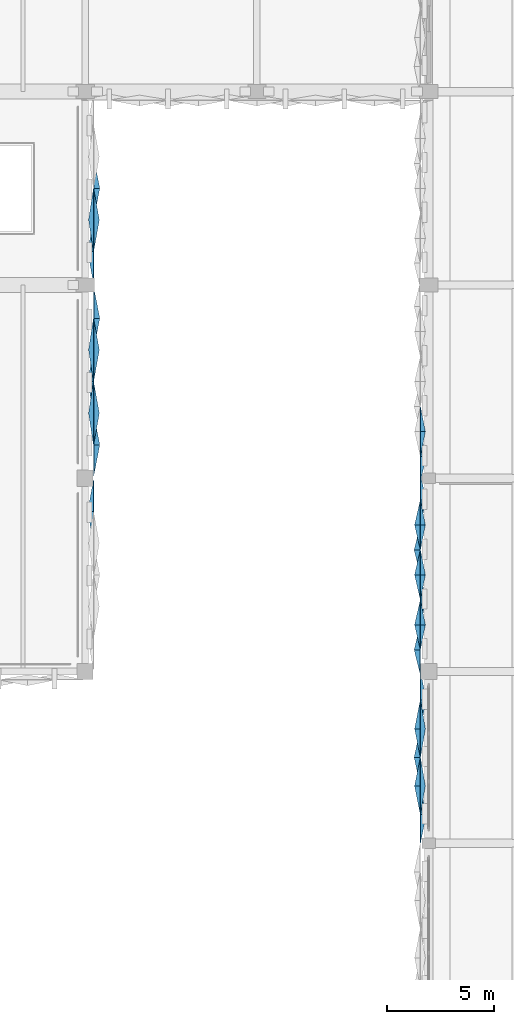
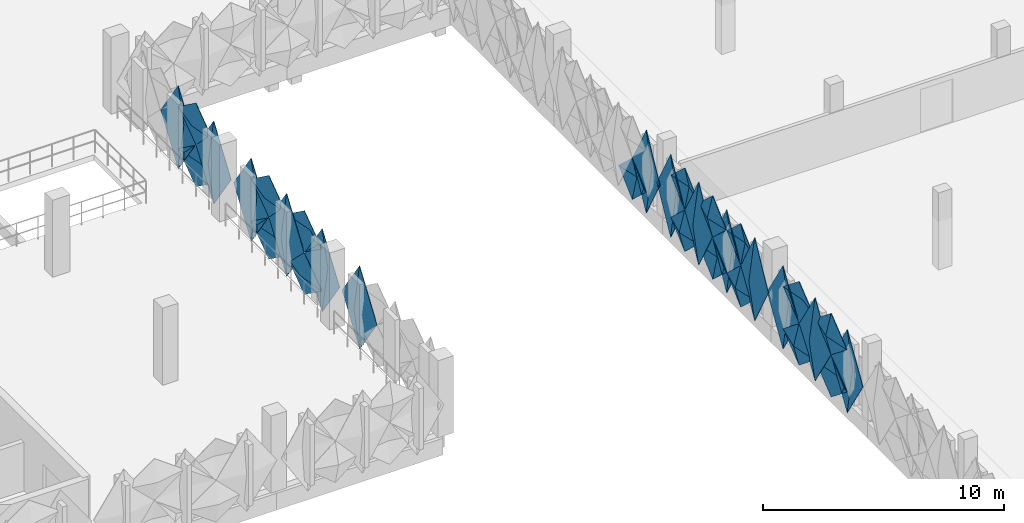
# One storey, part 63 of 83: 31 plates.
"""IFC4 building model written with IfcOpenShell, lengths in metres."""

from ifc_helpers import new_model, si_unit, derived_unit, direction, frame, origin, place, context, subcontext, project, spatial, polygons, material, layer, layer_set, type_object, element, save


model = new_model("IFC4")

# Units and contexts
model_context = context("Model", 3, precision=1e-05, world=origin(), true_north=direction((0.0, 1.0)))
body_context = subcontext(model_context, "Body", "Model", "MODEL_VIEW")
ifc_project = project(units=[si_unit("LENGTHUNIT", "METRE"), si_unit("AREAUNIT", "SQUARE_METRE"), si_unit("VOLUMEUNIT", "CUBIC_METRE"), si_unit("PLANEANGLEUNIT", "RADIAN"), si_unit("MASSUNIT", "GRAM", prefix="KILO"), si_unit("THERMODYNAMICTEMPERATUREUNIT", "KELVIN"), derived_unit("THERMALTRANSMITTANCEUNIT", [(si_unit("POWERUNIT", "WATT"), 1), (si_unit("AREAUNIT", "SQUARE_METRE"), -1), (si_unit("THERMODYNAMICTEMPERATUREUNIT", "KELVIN"), -1)])], contexts=[model_context])

# Site, building, storey
site_placement = place(None, origin())
site = spatial("IfcSite", under=ifc_project, at=site_placement, CompositionType="ELEMENT")
building_placement = place(site_placement, origin())
building = spatial("IfcBuilding", under=site, at=building_placement, Name="Haiyu Intermodal Mobility Hub", CompositionType="ELEMENT")
storey_placement = place(building_placement, frame((0.0, 0.0, 13.39990234375)))
storey = spatial("IfcBuildingStorey", under=building, at=storey_placement, Name="L03", CompositionType="ELEMENT", Elevation=13.39990234375)

# Plates
ifc_material = material(Name="Anodised aluminium 6063-T6", Category="aluminium")
ifc_layer_1 = layer(ifc_material, 0.01806640625)
ifc_layer_set_1 = layer_set([ifc_layer_1], Name="Anodised aluminium 6063-T6")
plate_type_1 = type_object("IfcPlateType", Name="PLT-FC01", PredefinedType="USERDEFINED", material=ifc_layer_set_1)
plate_1_placement = place(storey_placement, origin())
element("IfcPlate", 1, at=plate_1_placement, inside=storey, type_object=plate_type_1, Name="PLT-PYR-0693", ObjectType="FACADE CASSETTE", PredefinedType="USERDEFINED", context=body_context, shape_type="Tessellation", body=[
    polygons([(146.39990234375, 116.027099609375, 1.6201171875), (146.39990234375, 117.47998046875, 2.670166015625), (146.39990234375, 116.027099609375, 3.72021484375), (146.39990234375, 114.572998046875, 2.670166015625), (146.659912109375, 116.027099609375, 2.670166015625), (146.3779296875, 116.027099609375, 1.6201171875), (146.3779296875, 117.47998046875, 2.670166015625), (146.3779296875, 116.027099609375, 3.72021484375), (146.3779296875, 114.572998046875, 2.670166015625), (146.637939453125, 116.027099609375, 2.670166015625)], [[[1, 2, 5]], [[2, 3, 5]], [[3, 4, 5]], [[4, 1, 5]], [[7, 6, 10]], [[8, 7, 10]], [[9, 8, 10]], [[6, 9, 10]], [[1, 6, 7, 2]], [[2, 7, 8, 3]], [[3, 8, 9, 4]], [[4, 9, 6, 1]]], closed=True),
])
plate_2_placement = place(storey_placement, origin())
element("IfcPlate", 2, at=plate_2_placement, inside=storey, type_object=plate_type_1, Name="PLT-PYR-0701", ObjectType="FACADE CASSETTE", PredefinedType="USERDEFINED", context=body_context, shape_type="Tessellation", body=[
    polygons([(146.39990234375, 126.5, -0.510009765625), (146.39990234375, 127.952880859375, 1.60009765625), (146.39990234375, 126.5, 3.710205078125), (146.39990234375, 125.047119140625, 1.60009765625), (146.679931640625, 126.5, 1.60009765625), (146.3779296875, 126.5, -0.510009765625), (146.3779296875, 127.952880859375, 1.60009765625), (146.3779296875, 126.5, 3.710205078125), (146.3779296875, 125.047119140625, 1.60009765625), (146.657958984375, 126.5, 1.60009765625)], [[[1, 2, 5]], [[2, 3, 5]], [[3, 4, 5]], [[4, 1, 5]], [[7, 6, 10]], [[8, 7, 10]], [[9, 8, 10]], [[6, 9, 10]], [[1, 6, 7, 2]], [[2, 7, 8, 3]], [[3, 8, 9, 4]], [[4, 9, 6, 1]]], closed=True),
])
plate_3_placement = place(storey_placement, origin())
element("IfcPlate", 3, at=plate_3_placement, inside=storey, type_object=plate_type_1, Name="PLT-PYR-1948", ObjectType="FACADE CASSETTE", PredefinedType="USERDEFINED", context=body_context, shape_type="Tessellation", body=[
    polygons([(161.60009765625, 109.6630859375, -0.510009765625), (161.60009765625, 108.52001953125, 1.60009765625), (161.60009765625, 109.6630859375, 3.710205078125), (161.60009765625, 110.804931640625, 1.60009765625), (161.320068359375, 109.6630859375, 1.60009765625), (161.6220703125, 109.6630859375, -0.510009765625), (161.6220703125, 108.52001953125, 1.60009765625), (161.6220703125, 109.6630859375, 3.710205078125), (161.6220703125, 110.804931640625, 1.60009765625), (161.342041015625, 109.6630859375, 1.60009765625)], [[[1, 2, 5]], [[2, 3, 5]], [[3, 4, 5]], [[4, 1, 5]], [[7, 6, 10]], [[8, 7, 10]], [[9, 8, 10]], [[6, 9, 10]], [[1, 6, 7, 2]], [[2, 7, 8, 3]], [[3, 8, 9, 4]], [[4, 9, 6, 1]]], closed=True),
])
plate_4_placement = place(storey_placement, origin())
element("IfcPlate", 4, at=plate_4_placement, inside=storey, type_object=plate_type_1, Name="PLT-PYR-1950", ObjectType="FACADE CASSETTE", PredefinedType="USERDEFINED", context=body_context, shape_type="Tessellation", body=[
    polygons([(161.60009765625, 108.5, 1.6201171875), (161.60009765625, 107.35791015625, 2.670166015625), (161.60009765625, 108.5, 3.72021484375), (161.60009765625, 109.64306640625, 2.670166015625), (161.340087890625, 108.5, 2.670166015625), (161.6220703125, 108.5, 1.6201171875), (161.6220703125, 107.35791015625, 2.670166015625), (161.6220703125, 108.5, 3.72021484375), (161.6220703125, 109.64306640625, 2.670166015625), (161.362060546875, 108.5, 2.670166015625)], [[[1, 2, 5]], [[2, 3, 5]], [[3, 4, 5]], [[4, 1, 5]], [[7, 6, 10]], [[8, 7, 10]], [[9, 8, 10]], [[6, 9, 10]], [[1, 6, 7, 2]], [[2, 7, 8, 3]], [[3, 8, 9, 4]], [[4, 9, 6, 1]]], closed=True),
])
plate_5_placement = place(storey_placement, origin())
element("IfcPlate", 5, at=plate_5_placement, inside=storey, type_object=plate_type_1, Name="PLT-PYR-2144", ObjectType="FACADE CASSETTE", PredefinedType="USERDEFINED", context=body_context, shape_type="Tessellation", body=[
    polygons([(161.60009765625, 100.0, -0.510009765625), (161.60009765625, 98.68701171875, 1.60009765625), (161.60009765625, 100.0, 3.710205078125), (161.60009765625, 101.31298828125, 1.60009765625), (161.320068359375, 100.0, 1.60009765625), (161.6220703125, 100.0, -0.510009765625), (161.6220703125, 98.68701171875, 1.60009765625), (161.6220703125, 100.0, 3.710205078125), (161.6220703125, 101.31298828125, 1.60009765625), (161.342041015625, 100.0, 1.60009765625)], [[[1, 2, 5]], [[2, 3, 5]], [[3, 4, 5]], [[4, 1, 5]], [[7, 6, 10]], [[8, 7, 10]], [[9, 8, 10]], [[6, 9, 10]], [[1, 6, 7, 2]], [[2, 7, 8, 3]], [[3, 8, 9, 4]], [[4, 9, 6, 1]]], closed=True),
])
plate_6_placement = place(storey_placement, origin())
element("IfcPlate", 6, at=plate_6_placement, inside=storey, type_object=plate_type_1, Name="PLT-PYR-2146", ObjectType="FACADE CASSETTE", PredefinedType="USERDEFINED", context=body_context, shape_type="Tessellation", body=[
    polygons([(161.60009765625, 98.6669921875, 1.6201171875), (161.60009765625, 97.35302734375, 2.670166015625), (161.60009765625, 98.6669921875, 3.72021484375), (161.60009765625, 99.97998046875, 2.670166015625), (161.340087890625, 98.6669921875, 2.670166015625), (161.6220703125, 98.6669921875, 1.6201171875), (161.6220703125, 97.35302734375, 2.670166015625), (161.6220703125, 98.6669921875, 3.72021484375), (161.6220703125, 99.97998046875, 2.670166015625), (161.362060546875, 98.6669921875, 2.670166015625)], [[[1, 2, 5]], [[2, 3, 5]], [[3, 4, 5]], [[4, 1, 5]], [[7, 6, 10]], [[8, 7, 10]], [[9, 8, 10]], [[6, 9, 10]], [[1, 6, 7, 2]], [[2, 7, 8, 3]], [[3, 8, 9, 4]], [[4, 9, 6, 1]]], closed=True),
])
ifc_layer_2 = layer(ifc_material, 0.02001953125)
ifc_layer_set_2 = layer_set([ifc_layer_2], Name="Anodised aluminium 6063-T6")
plate_type_2 = type_object("IfcPlateType", Name="PLT-FC02", PredefinedType="USERDEFINED", material=ifc_layer_set_2)
plate_7_placement = place(storey_placement, origin())
element("IfcPlate", 7, at=plate_7_placement, inside=storey, type_object=plate_type_2, Name="PLT-PYR-0694", ObjectType="FACADE CASSETTE", PredefinedType="USERDEFINED", context=body_context, shape_type="Tessellation", body=[
    polygons([(146.39990234375, 117.5, -0.510009765625), (146.39990234375, 118.952880859375, 1.60009765625), (146.39990234375, 117.5, 3.710205078125), (146.39990234375, 116.047119140625, 1.60009765625), (146.139892578125, 117.5, 1.60009765625), (146.3779296875, 117.5, -0.510009765625), (146.3779296875, 118.952880859375, 1.60009765625), (146.3779296875, 117.5, 3.710205078125), (146.3779296875, 116.047119140625, 1.60009765625), (146.117919921875, 117.5, 1.60009765625)], [[[1, 2, 5]], [[2, 3, 5]], [[3, 4, 5]], [[4, 1, 5]], [[7, 6, 10]], [[8, 7, 10]], [[9, 8, 10]], [[6, 9, 10]], [[1, 6, 7, 2]], [[2, 7, 8, 3]], [[3, 8, 9, 4]], [[4, 9, 6, 1]]], closed=True),
])
plate_8_placement = place(storey_placement, origin())
element("IfcPlate", 8, at=plate_8_placement, inside=storey, type_object=plate_type_2, Name="PLT-PYR-0696", ObjectType="FACADE CASSETTE", PredefinedType="USERDEFINED", context=body_context, shape_type="Tessellation", body=[
    polygons([(146.39990234375, 118.972900390625, 1.6201171875), (146.39990234375, 120.427001953125, 2.670166015625), (146.39990234375, 118.972900390625, 3.72021484375), (146.39990234375, 117.52001953125, 2.670166015625), (146.179931640625, 118.972900390625, 2.670166015625), (146.3779296875, 118.972900390625, 1.6201171875), (146.3779296875, 120.427001953125, 2.670166015625), (146.3779296875, 118.972900390625, 3.72021484375), (146.3779296875, 117.52001953125, 2.670166015625), (146.157958984375, 118.972900390625, 2.670166015625)], [[[1, 2, 5]], [[2, 3, 5]], [[3, 4, 5]], [[4, 1, 5]], [[7, 6, 10]], [[8, 7, 10]], [[9, 8, 10]], [[6, 9, 10]], [[1, 6, 7, 2]], [[2, 7, 8, 3]], [[3, 8, 9, 4]], [[4, 9, 6, 1]]], closed=True),
])
plate_9_placement = place(storey_placement, origin())
element("IfcPlate", 9, at=plate_9_placement, inside=storey, type_object=plate_type_2, Name="PLT-PYR-0700", ObjectType="FACADE CASSETTE", PredefinedType="USERDEFINED", context=body_context, shape_type="Tessellation", body=[
    polygons([(146.39990234375, 125.027099609375, 1.6201171875), (146.39990234375, 126.47998046875, 2.670166015625), (146.39990234375, 125.027099609375, 3.72021484375), (146.39990234375, 123.572998046875, 2.670166015625), (146.179931640625, 125.027099609375, 2.670166015625), (146.3779296875, 125.027099609375, 1.6201171875), (146.3779296875, 126.47998046875, 2.670166015625), (146.3779296875, 125.027099609375, 3.72021484375), (146.3779296875, 123.572998046875, 2.670166015625), (146.157958984375, 125.027099609375, 2.670166015625)], [[[1, 2, 5]], [[2, 3, 5]], [[3, 4, 5]], [[4, 1, 5]], [[7, 6, 10]], [[8, 7, 10]], [[9, 8, 10]], [[6, 9, 10]], [[1, 6, 7, 2]], [[2, 7, 8, 3]], [[3, 8, 9, 4]], [[4, 9, 6, 1]]], closed=True),
])
plate_10_placement = place(storey_placement, origin())
element("IfcPlate", 10, at=plate_10_placement, inside=storey, type_object=plate_type_2, Name="PLT-PYR-1947", ObjectType="FACADE CASSETTE", PredefinedType="USERDEFINED", context=body_context, shape_type="Tessellation", body=[
    polygons([(161.60009765625, 110.824951171875, 1.6201171875), (161.60009765625, 109.681884765625, 2.670166015625), (161.60009765625, 110.824951171875, 3.72021484375), (161.60009765625, 111.968017578125, 2.670166015625), (161.820068359375, 110.824951171875, 2.670166015625), (161.6220703125, 110.824951171875, 1.6201171875), (161.6220703125, 109.681884765625, 2.670166015625), (161.6220703125, 110.824951171875, 3.72021484375), (161.6220703125, 111.968017578125, 2.670166015625), (161.842041015625, 110.824951171875, 2.670166015625)], [[[1, 2, 5]], [[2, 3, 5]], [[3, 4, 5]], [[4, 1, 5]], [[7, 6, 10]], [[8, 7, 10]], [[9, 8, 10]], [[6, 9, 10]], [[1, 6, 7, 2]], [[2, 7, 8, 3]], [[3, 8, 9, 4]], [[4, 9, 6, 1]]], closed=True),
])
plate_11_placement = place(storey_placement, origin())
element("IfcPlate", 11, at=plate_11_placement, inside=storey, type_object=plate_type_2, Name="PLT-PYR-1953", ObjectType="FACADE CASSETTE", PredefinedType="USERDEFINED", context=body_context, shape_type="Tessellation", body=[
    polygons([(161.60009765625, 106.175048828125, 1.6201171875), (161.60009765625, 105.031982421875, 2.670166015625), (161.60009765625, 106.175048828125, 3.72021484375), (161.60009765625, 107.318115234375, 2.670166015625), (161.820068359375, 106.175048828125, 2.670166015625), (161.6220703125, 106.175048828125, 1.6201171875), (161.6220703125, 105.031982421875, 2.670166015625), (161.6220703125, 106.175048828125, 3.72021484375), (161.6220703125, 107.318115234375, 2.670166015625), (161.842041015625, 106.175048828125, 2.670166015625)], [[[1, 2, 5]], [[2, 3, 5]], [[3, 4, 5]], [[4, 1, 5]], [[7, 6, 10]], [[8, 7, 10]], [[9, 8, 10]], [[6, 9, 10]], [[1, 6, 7, 2]], [[2, 7, 8, 3]], [[3, 8, 9, 4]], [[4, 9, 6, 1]]], closed=True),
])
plate_12_placement = place(storey_placement, origin())
element("IfcPlate", 12, at=plate_12_placement, inside=storey, type_object=plate_type_2, Name="PLT-PYR-2143", ObjectType="FACADE CASSETTE", PredefinedType="USERDEFINED", context=body_context, shape_type="Tessellation", body=[
    polygons([(161.60009765625, 101.3330078125, 1.6201171875), (161.60009765625, 100.02001953125, 2.670166015625), (161.60009765625, 101.3330078125, 3.72021484375), (161.60009765625, 102.64697265625, 2.670166015625), (161.820068359375, 101.3330078125, 2.670166015625), (161.6220703125, 101.3330078125, 1.6201171875), (161.6220703125, 100.02001953125, 2.670166015625), (161.6220703125, 101.3330078125, 3.72021484375), (161.6220703125, 102.64697265625, 2.670166015625), (161.842041015625, 101.3330078125, 2.670166015625)], [[[1, 2, 5]], [[2, 3, 5]], [[3, 4, 5]], [[4, 1, 5]], [[7, 6, 10]], [[8, 7, 10]], [[9, 8, 10]], [[6, 9, 10]], [[1, 6, 7, 2]], [[2, 7, 8, 3]], [[3, 8, 9, 4]], [[4, 9, 6, 1]]], closed=True),
])
ifc_layer_3 = layer(ifc_material, 0.01806640625)
ifc_layer_set_3 = layer_set([ifc_layer_3], Name="Anodised aluminium 6063-T6")
plate_type_3 = type_object("IfcPlateType", Name="PLT-FC03", PredefinedType="USERDEFINED", material=ifc_layer_set_3)
plate_13_placement = place(storey_placement, origin())
element("IfcPlate", 13, at=plate_13_placement, inside=storey, type_object=plate_type_3, Name="PLT-PYR-0697", ObjectType="FACADE CASSETTE", PredefinedType="USERDEFINED", context=body_context, shape_type="Tessellation", body=[
    polygons([(146.39990234375, 120.447021484375, -0.510009765625), (146.39990234375, 121.89990234375, 1.60009765625), (146.39990234375, 120.447021484375, 3.710205078125), (146.39990234375, 118.992919921875, 1.60009765625), (146.679931640625, 120.447021484375, 1.60009765625), (146.3779296875, 120.447021484375, -0.510009765625), (146.3779296875, 121.89990234375, 1.60009765625), (146.3779296875, 120.447021484375, 3.710205078125), (146.3779296875, 118.992919921875, 1.60009765625), (146.657958984375, 120.447021484375, 1.60009765625)], [[[1, 2, 5]], [[2, 3, 5]], [[3, 4, 5]], [[4, 1, 5]], [[7, 6, 10]], [[8, 7, 10]], [[9, 8, 10]], [[6, 9, 10]], [[1, 6, 7, 2]], [[2, 7, 8, 3]], [[3, 8, 9, 4]], [[4, 9, 6, 1]]], closed=True),
])
ifc_layer_4 = layer(ifc_material, 0.02001953125)
ifc_layer_set_4 = layer_set([ifc_layer_4], Name="Anodised aluminium 6063-T6")
plate_type_4 = type_object("IfcPlateType", Name="PLT-FC04", PredefinedType="USERDEFINED", material=ifc_layer_set_4)
plate_14_placement = place(storey_placement, origin())
element("IfcPlate", 14, at=plate_14_placement, inside=storey, type_object=plate_type_4, Name="PLT-PYR-0690", ObjectType="FACADE CASSETTE", PredefinedType="USERDEFINED", context=body_context, shape_type="Tessellation", body=[
    polygons([(146.39990234375, 111.447021484375, -0.510009765625), (146.39990234375, 112.89990234375, 1.60009765625), (146.39990234375, 111.447021484375, 3.710205078125), (146.39990234375, 109.992919921875, 1.60009765625), (146.139892578125, 111.447021484375, 1.60009765625), (146.3779296875, 111.447021484375, -0.510009765625), (146.3779296875, 112.89990234375, 1.60009765625), (146.3779296875, 111.447021484375, 3.710205078125), (146.3779296875, 109.992919921875, 1.60009765625), (146.117919921875, 111.447021484375, 1.60009765625)], [[[1, 2, 5]], [[2, 3, 5]], [[3, 4, 5]], [[4, 1, 5]], [[7, 6, 10]], [[8, 7, 10]], [[9, 8, 10]], [[6, 9, 10]], [[1, 6, 7, 2]], [[2, 7, 8, 3]], [[3, 8, 9, 4]], [[4, 9, 6, 1]]], closed=True),
])
plate_15_placement = place(storey_placement, origin())
element("IfcPlate", 15, at=plate_15_placement, inside=storey, type_object=plate_type_4, Name="PLT-PYR-1951", ObjectType="FACADE CASSETTE", PredefinedType="USERDEFINED", context=body_context, shape_type="Tessellation", body=[
    polygons([(161.60009765625, 107.337890625, -0.510009765625), (161.60009765625, 106.195068359375, 1.60009765625), (161.60009765625, 107.337890625, 3.710205078125), (161.60009765625, 108.47998046875, 1.60009765625), (161.860107421875, 107.337890625, 1.60009765625), (161.6220703125, 107.337890625, -0.510009765625), (161.6220703125, 106.195068359375, 1.60009765625), (161.6220703125, 107.337890625, 3.710205078125), (161.6220703125, 108.47998046875, 1.60009765625), (161.882080078125, 107.337890625, 1.60009765625)], [[[1, 2, 5]], [[2, 3, 5]], [[3, 4, 5]], [[4, 1, 5]], [[7, 6, 10]], [[8, 7, 10]], [[9, 8, 10]], [[6, 9, 10]], [[1, 6, 7, 2]], [[2, 7, 8, 3]], [[3, 8, 9, 4]], [[4, 9, 6, 1]]], closed=True),
])
plate_16_placement = place(storey_placement, origin())
element("IfcPlate", 16, at=plate_16_placement, inside=storey, type_object=plate_type_4, Name="PLT-PYR-2147", ObjectType="FACADE CASSETTE", PredefinedType="USERDEFINED", context=body_context, shape_type="Tessellation", body=[
    polygons([(161.60009765625, 97.3330078125, -0.510009765625), (161.60009765625, 96.02001953125, 1.60009765625), (161.60009765625, 97.3330078125, 3.710205078125), (161.60009765625, 98.64697265625, 1.60009765625), (161.860107421875, 97.3330078125, 1.60009765625), (161.6220703125, 97.3330078125, -0.510009765625), (161.6220703125, 96.02001953125, 1.60009765625), (161.6220703125, 97.3330078125, 3.710205078125), (161.6220703125, 98.64697265625, 1.60009765625), (161.882080078125, 97.3330078125, 1.60009765625)], [[[1, 2, 5]], [[2, 3, 5]], [[3, 4, 5]], [[4, 1, 5]], [[7, 6, 10]], [[8, 7, 10]], [[9, 8, 10]], [[6, 9, 10]], [[1, 6, 7, 2]], [[2, 7, 8, 3]], [[3, 8, 9, 4]], [[4, 9, 6, 1]]], closed=True),
])
ifc_layer_5 = layer(ifc_material, 0.01806640625)
ifc_layer_set_5 = layer_set([ifc_layer_5], Name="Anodised aluminium 6063-T6")
plate_type_5 = type_object("IfcPlateType", Name="PLT-FC05", PredefinedType="USERDEFINED", material=ifc_layer_set_5)
plate_17_placement = place(storey_placement, origin())
element("IfcPlate", 17, at=plate_17_placement, inside=storey, type_object=plate_type_5, Name="PLT-PYR-1954", ObjectType="FACADE CASSETTE", PredefinedType="USERDEFINED", context=body_context, shape_type="Tessellation", body=[
    polygons([(161.60009765625, 105.011962890625, -0.510009765625), (161.60009765625, 103.8701171875, 1.60009765625), (161.60009765625, 105.011962890625, 3.710205078125), (161.60009765625, 106.155029296875, 1.60009765625), (161.320068359375, 105.011962890625, 1.60009765625), (161.6220703125, 105.011962890625, -0.510009765625), (161.6220703125, 103.8701171875, 1.60009765625), (161.6220703125, 105.011962890625, 3.710205078125), (161.6220703125, 106.155029296875, 1.60009765625), (161.342041015625, 105.011962890625, 1.60009765625)], [[[1, 2, 5]], [[2, 3, 5]], [[3, 4, 5]], [[4, 1, 5]], [[7, 6, 10]], [[8, 7, 10]], [[9, 8, 10]], [[6, 9, 10]], [[1, 6, 7, 2]], [[2, 7, 8, 3]], [[3, 8, 9, 4]], [[4, 9, 6, 1]]], closed=True),
])
ifc_layer_6 = layer(ifc_material, 0.02001953125)
ifc_layer_set_6 = layer_set([ifc_layer_6], Name="Anodised aluminium 6063-T6")
plate_type_6 = type_object("IfcPlateType", Name="PLT-FC06", PredefinedType="USERDEFINED", material=ifc_layer_set_6)
plate_18_placement = place(storey_placement, origin())
element("IfcPlate", 18, at=plate_18_placement, inside=storey, type_object=plate_type_6, Name="PLT-PYR-1964", ObjectType="FACADE CASSETTE", PredefinedType="USERDEFINED", context=body_context, shape_type="Tessellation", body=[
    polygons([(161.60009765625, 114.011962890625, -0.510009765625), (161.60009765625, 112.8701171875, 1.60009765625), (161.60009765625, 114.011962890625, 3.710205078125), (161.60009765625, 115.155029296875, 1.60009765625), (161.860107421875, 114.011962890625, 1.60009765625), (161.6220703125, 114.011962890625, -0.510009765625), (161.6220703125, 112.8701171875, 1.60009765625), (161.6220703125, 114.011962890625, 3.710205078125), (161.6220703125, 115.155029296875, 1.60009765625), (161.882080078125, 114.011962890625, 1.60009765625)], [[[1, 2, 5]], [[2, 3, 5]], [[3, 4, 5]], [[4, 1, 5]], [[7, 6, 10]], [[8, 7, 10]], [[9, 8, 10]], [[6, 9, 10]], [[1, 6, 7, 2]], [[2, 7, 8, 3]], [[3, 8, 9, 4]], [[4, 9, 6, 1]]], closed=True),
])
ifc_layer_7 = layer(ifc_material, 0.02197265625)
ifc_layer_set_7 = layer_set([ifc_layer_7], Name="Anodised aluminium 6063-T6")
plate_type_7 = type_object("IfcPlateType", Name="PLT-FC07", PredefinedType="USERDEFINED", material=ifc_layer_set_7)
plate_19_placement = place(storey_placement, origin())
element("IfcPlate", 19, at=plate_19_placement, inside=storey, type_object=plate_type_7, Name="PLT-PYR-0691", ObjectType="FACADE CASSETTE", PredefinedType="USERDEFINED", context=body_context, shape_type="Tessellation", body=[
    polygons([(146.39990234375, 114.552978515625, -0.510009765625), (146.39990234375, 116.007080078125, 1.60009765625), (146.39990234375, 114.552978515625, 3.710205078125), (146.39990234375, 113.10009765625, 1.60009765625), (146.679931640625, 114.552978515625, 1.60009765625), (146.3779296875, 114.552978515625, -0.510009765625), (146.3779296875, 116.007080078125, 1.60009765625), (146.3779296875, 114.552978515625, 3.710205078125), (146.3779296875, 113.10009765625, 1.60009765625), (146.657958984375, 114.552978515625, 1.60009765625)], [[[1, 2, 5]], [[2, 3, 5]], [[3, 4, 5]], [[4, 1, 5]], [[7, 6, 10]], [[8, 7, 10]], [[9, 8, 10]], [[6, 9, 10]], [[1, 6, 7, 2]], [[2, 7, 8, 3]], [[3, 8, 9, 4]], [[4, 9, 6, 1]]], closed=True),
])
plate_20_placement = place(storey_placement, origin())
element("IfcPlate", 20, at=plate_20_placement, inside=storey, type_object=plate_type_7, Name="PLT-PYR-0695", ObjectType="FACADE CASSETTE", PredefinedType="USERDEFINED", context=body_context, shape_type="Tessellation", body=[
    polygons([(146.39990234375, 118.972900390625, -0.52001953125), (146.39990234375, 120.427001953125, 0.530029296875), (146.39990234375, 118.972900390625, 1.580078125), (146.39990234375, 117.52001953125, 0.530029296875), (146.659912109375, 118.972900390625, 0.530029296875), (146.3779296875, 118.972900390625, -0.52001953125), (146.3779296875, 120.427001953125, 0.530029296875), (146.3779296875, 118.972900390625, 1.580078125), (146.3779296875, 117.52001953125, 0.530029296875), (146.637939453125, 118.972900390625, 0.530029296875)], [[[1, 2, 5]], [[2, 3, 5]], [[3, 4, 5]], [[4, 1, 5]], [[7, 6, 10]], [[8, 7, 10]], [[9, 8, 10]], [[6, 9, 10]], [[1, 6, 7, 2]], [[2, 7, 8, 3]], [[3, 8, 9, 4]], [[4, 9, 6, 1]]], closed=True),
])
plate_21_placement = place(storey_placement, origin())
element("IfcPlate", 21, at=plate_21_placement, inside=storey, type_object=plate_type_7, Name="PLT-PYR-0699", ObjectType="FACADE CASSETTE", PredefinedType="USERDEFINED", context=body_context, shape_type="Tessellation", body=[
    polygons([(146.39990234375, 125.027099609375, -0.52001953125), (146.39990234375, 126.47998046875, 0.530029296875), (146.39990234375, 125.027099609375, 1.580078125), (146.39990234375, 123.572998046875, 0.530029296875), (146.659912109375, 125.027099609375, 0.530029296875), (146.3779296875, 125.027099609375, -0.52001953125), (146.3779296875, 126.47998046875, 0.530029296875), (146.3779296875, 125.027099609375, 1.580078125), (146.3779296875, 123.572998046875, 0.530029296875), (146.637939453125, 125.027099609375, 0.530029296875)], [[[1, 2, 5]], [[2, 3, 5]], [[3, 4, 5]], [[4, 1, 5]], [[7, 6, 10]], [[8, 7, 10]], [[9, 8, 10]], [[6, 9, 10]], [[1, 6, 7, 2]], [[2, 7, 8, 3]], [[3, 8, 9, 4]], [[4, 9, 6, 1]]], closed=True),
])
plate_22_placement = place(storey_placement, origin())
element("IfcPlate", 22, at=plate_22_placement, inside=storey, type_object=plate_type_7, Name="PLT-PYR-1946", ObjectType="FACADE CASSETTE", PredefinedType="USERDEFINED", context=body_context, shape_type="Tessellation", body=[
    polygons([(161.60009765625, 110.824951171875, -0.52001953125), (161.60009765625, 109.681884765625, 0.530029296875), (161.60009765625, 110.824951171875, 1.580078125), (161.60009765625, 111.968017578125, 0.530029296875), (161.340087890625, 110.824951171875, 0.530029296875), (161.6220703125, 110.824951171875, -0.52001953125), (161.6220703125, 109.681884765625, 0.530029296875), (161.6220703125, 110.824951171875, 1.580078125), (161.6220703125, 111.968017578125, 0.530029296875), (161.362060546875, 110.824951171875, 0.530029296875)], [[[1, 2, 5]], [[2, 3, 5]], [[3, 4, 5]], [[4, 1, 5]], [[7, 6, 10]], [[8, 7, 10]], [[9, 8, 10]], [[6, 9, 10]], [[1, 6, 7, 2]], [[2, 7, 8, 3]], [[3, 8, 9, 4]], [[4, 9, 6, 1]]], closed=True),
])
plate_23_placement = place(storey_placement, origin())
element("IfcPlate", 23, at=plate_23_placement, inside=storey, type_object=plate_type_7, Name="PLT-PYR-1952", ObjectType="FACADE CASSETTE", PredefinedType="USERDEFINED", context=body_context, shape_type="Tessellation", body=[
    polygons([(161.60009765625, 106.175048828125, -0.52001953125), (161.60009765625, 105.031982421875, 0.530029296875), (161.60009765625, 106.175048828125, 1.580078125), (161.60009765625, 107.318115234375, 0.530029296875), (161.340087890625, 106.175048828125, 0.530029296875), (161.6220703125, 106.175048828125, -0.52001953125), (161.6220703125, 105.031982421875, 0.530029296875), (161.6220703125, 106.175048828125, 1.580078125), (161.6220703125, 107.318115234375, 0.530029296875), (161.362060546875, 106.175048828125, 0.530029296875)], [[[1, 2, 5]], [[2, 3, 5]], [[3, 4, 5]], [[4, 1, 5]], [[7, 6, 10]], [[8, 7, 10]], [[9, 8, 10]], [[6, 9, 10]], [[1, 6, 7, 2]], [[2, 7, 8, 3]], [[3, 8, 9, 4]], [[4, 9, 6, 1]]], closed=True),
])
plate_24_placement = place(storey_placement, origin())
element("IfcPlate", 24, at=plate_24_placement, inside=storey, type_object=plate_type_7, Name="PLT-PYR-2142", ObjectType="FACADE CASSETTE", PredefinedType="USERDEFINED", context=body_context, shape_type="Tessellation", body=[
    polygons([(161.60009765625, 101.3330078125, -0.52001953125), (161.60009765625, 100.02001953125, 0.530029296875), (161.60009765625, 101.3330078125, 1.580078125), (161.60009765625, 102.64697265625, 0.530029296875), (161.340087890625, 101.3330078125, 0.530029296875), (161.6220703125, 101.3330078125, -0.52001953125), (161.6220703125, 100.02001953125, 0.530029296875), (161.6220703125, 101.3330078125, 1.580078125), (161.6220703125, 102.64697265625, 0.530029296875), (161.362060546875, 101.3330078125, 0.530029296875)], [[[1, 2, 5]], [[2, 3, 5]], [[3, 4, 5]], [[4, 1, 5]], [[7, 6, 10]], [[8, 7, 10]], [[9, 8, 10]], [[6, 9, 10]], [[1, 6, 7, 2]], [[2, 7, 8, 3]], [[3, 8, 9, 4]], [[4, 9, 6, 1]]], closed=True),
])
ifc_layer_8 = layer(ifc_material, 0.02392578125)
ifc_layer_set_8 = layer_set([ifc_layer_8], Name="Anodised aluminium 6063-T6")
plate_type_8 = type_object("IfcPlateType", Name="PLT-FC08", PredefinedType="USERDEFINED", material=ifc_layer_set_8)
plate_25_placement = place(storey_placement, origin())
element("IfcPlate", 25, at=plate_25_placement, inside=storey, type_object=plate_type_8, Name="PLT-PYR-0692", ObjectType="FACADE CASSETTE", PredefinedType="USERDEFINED", context=body_context, shape_type="Tessellation", body=[
    polygons([(146.39990234375, 116.027099609375, -0.52001953125), (146.39990234375, 117.47998046875, 0.530029296875), (146.39990234375, 116.027099609375, 1.580078125), (146.39990234375, 114.572998046875, 0.530029296875), (146.179931640625, 116.027099609375, 0.530029296875), (146.3779296875, 116.027099609375, -0.52001953125), (146.3779296875, 117.47998046875, 0.530029296875), (146.3779296875, 116.027099609375, 1.580078125), (146.3779296875, 114.572998046875, 0.530029296875), (146.157958984375, 116.027099609375, 0.530029296875)], [[[1, 2, 5]], [[2, 3, 5]], [[3, 4, 5]], [[4, 1, 5]], [[7, 6, 10]], [[8, 7, 10]], [[9, 8, 10]], [[6, 9, 10]], [[1, 6, 7, 2]], [[2, 7, 8, 3]], [[3, 8, 9, 4]], [[4, 9, 6, 1]]], closed=True),
])
plate_26_placement = place(storey_placement, origin())
element("IfcPlate", 26, at=plate_26_placement, inside=storey, type_object=plate_type_8, Name="PLT-PYR-0698", ObjectType="FACADE CASSETTE", PredefinedType="USERDEFINED", context=body_context, shape_type="Tessellation", body=[
    polygons([(146.39990234375, 123.552978515625, -0.510009765625), (146.39990234375, 125.007080078125, 1.60009765625), (146.39990234375, 123.552978515625, 3.710205078125), (146.39990234375, 122.10009765625, 1.60009765625), (146.139892578125, 123.552978515625, 1.60009765625), (146.3779296875, 123.552978515625, -0.510009765625), (146.3779296875, 125.007080078125, 1.60009765625), (146.3779296875, 123.552978515625, 3.710205078125), (146.3779296875, 122.10009765625, 1.60009765625), (146.117919921875, 123.552978515625, 1.60009765625)], [[[1, 2, 5]], [[2, 3, 5]], [[3, 4, 5]], [[4, 1, 5]], [[7, 6, 10]], [[8, 7, 10]], [[9, 8, 10]], [[6, 9, 10]], [[1, 6, 7, 2]], [[2, 7, 8, 3]], [[3, 8, 9, 4]], [[4, 9, 6, 1]]], closed=True),
])
plate_27_placement = place(storey_placement, origin())
element("IfcPlate", 27, at=plate_27_placement, inside=storey, type_object=plate_type_8, Name="PLT-PYR-1945", ObjectType="FACADE CASSETTE", PredefinedType="USERDEFINED", context=body_context, shape_type="Tessellation", body=[
    polygons([(161.60009765625, 111.988037109375, -0.510009765625), (161.60009765625, 110.844970703125, 1.60009765625), (161.60009765625, 111.988037109375, 3.710205078125), (161.60009765625, 113.1298828125, 1.60009765625), (161.860107421875, 111.988037109375, 1.60009765625), (161.6220703125, 111.988037109375, -0.510009765625), (161.6220703125, 110.844970703125, 1.60009765625), (161.6220703125, 111.988037109375, 3.710205078125), (161.6220703125, 113.1298828125, 1.60009765625), (161.882080078125, 111.988037109375, 1.60009765625)], [[[1, 2, 5]], [[2, 3, 5]], [[3, 4, 5]], [[4, 1, 5]], [[7, 6, 10]], [[8, 7, 10]], [[9, 8, 10]], [[6, 9, 10]], [[1, 6, 7, 2]], [[2, 7, 8, 3]], [[3, 8, 9, 4]], [[4, 9, 6, 1]]], closed=True),
])
plate_28_placement = place(storey_placement, origin())
element("IfcPlate", 28, at=plate_28_placement, inside=storey, type_object=plate_type_8, Name="PLT-PYR-1949", ObjectType="FACADE CASSETTE", PredefinedType="USERDEFINED", context=body_context, shape_type="Tessellation", body=[
    polygons([(161.60009765625, 108.5, -0.52001953125), (161.60009765625, 107.35791015625, 0.530029296875), (161.60009765625, 108.5, 1.580078125), (161.60009765625, 109.64306640625, 0.530029296875), (161.820068359375, 108.5, 0.530029296875), (161.6220703125, 108.5, -0.52001953125), (161.6220703125, 107.35791015625, 0.530029296875), (161.6220703125, 108.5, 1.580078125), (161.6220703125, 109.64306640625, 0.530029296875), (161.842041015625, 108.5, 0.530029296875)], [[[1, 2, 5]], [[2, 3, 5]], [[3, 4, 5]], [[4, 1, 5]], [[7, 6, 10]], [[8, 7, 10]], [[9, 8, 10]], [[6, 9, 10]], [[1, 6, 7, 2]], [[2, 7, 8, 3]], [[3, 8, 9, 4]], [[4, 9, 6, 1]]], closed=True),
])
plate_29_placement = place(storey_placement, origin())
element("IfcPlate", 29, at=plate_29_placement, inside=storey, type_object=plate_type_8, Name="PLT-PYR-1962", ObjectType="FACADE CASSETTE", PredefinedType="USERDEFINED", context=body_context, shape_type="Tessellation", body=[
    polygons([(161.60009765625, 115.175048828125, -0.52001953125), (161.60009765625, 114.031982421875, 0.530029296875), (161.60009765625, 115.175048828125, 1.580078125), (161.60009765625, 116.318115234375, 0.530029296875), (161.820068359375, 115.175048828125, 0.530029296875), (161.6220703125, 115.175048828125, -0.52001953125), (161.6220703125, 114.031982421875, 0.530029296875), (161.6220703125, 115.175048828125, 1.580078125), (161.6220703125, 116.318115234375, 0.530029296875), (161.842041015625, 115.175048828125, 0.530029296875)], [[[1, 2, 5]], [[2, 3, 5]], [[3, 4, 5]], [[4, 1, 5]], [[7, 6, 10]], [[8, 7, 10]], [[9, 8, 10]], [[6, 9, 10]], [[1, 6, 7, 2]], [[2, 7, 8, 3]], [[3, 8, 9, 4]], [[4, 9, 6, 1]]], closed=True),
])
plate_30_placement = place(storey_placement, origin())
element("IfcPlate", 30, at=plate_30_placement, inside=storey, type_object=plate_type_8, Name="PLT-PYR-2141", ObjectType="FACADE CASSETTE", PredefinedType="USERDEFINED", context=body_context, shape_type="Tessellation", body=[
    polygons([(161.60009765625, 102.6669921875, -0.510009765625), (161.60009765625, 101.35302734375, 1.60009765625), (161.60009765625, 102.6669921875, 3.710205078125), (161.60009765625, 103.97998046875, 1.60009765625), (161.860107421875, 102.6669921875, 1.60009765625), (161.6220703125, 102.6669921875, -0.510009765625), (161.6220703125, 101.35302734375, 1.60009765625), (161.6220703125, 102.6669921875, 3.710205078125), (161.6220703125, 103.97998046875, 1.60009765625), (161.882080078125, 102.6669921875, 1.60009765625)], [[[1, 2, 5]], [[2, 3, 5]], [[3, 4, 5]], [[4, 1, 5]], [[7, 6, 10]], [[8, 7, 10]], [[9, 8, 10]], [[6, 9, 10]], [[1, 6, 7, 2]], [[2, 7, 8, 3]], [[3, 8, 9, 4]], [[4, 9, 6, 1]]], closed=True),
])
plate_31_placement = place(storey_placement, origin())
element("IfcPlate", 31, at=plate_31_placement, inside=storey, type_object=plate_type_8, Name="PLT-PYR-2145", ObjectType="FACADE CASSETTE", PredefinedType="USERDEFINED", context=body_context, shape_type="Tessellation", body=[
    polygons([(161.60009765625, 98.6669921875, -0.52001953125), (161.60009765625, 97.35302734375, 0.530029296875), (161.60009765625, 98.6669921875, 1.580078125), (161.60009765625, 99.97998046875, 0.530029296875), (161.820068359375, 98.6669921875, 0.530029296875), (161.6220703125, 98.6669921875, -0.52001953125), (161.6220703125, 97.35302734375, 0.530029296875), (161.6220703125, 98.6669921875, 1.580078125), (161.6220703125, 99.97998046875, 0.530029296875), (161.842041015625, 98.6669921875, 0.530029296875)], [[[1, 2, 5]], [[2, 3, 5]], [[3, 4, 5]], [[4, 1, 5]], [[7, 6, 10]], [[8, 7, 10]], [[9, 8, 10]], [[6, 9, 10]], [[1, 6, 7, 2]], [[2, 7, 8, 3]], [[3, 8, 9, 4]], [[4, 9, 6, 1]]], closed=True),
])

save(model, "model.ifc")
